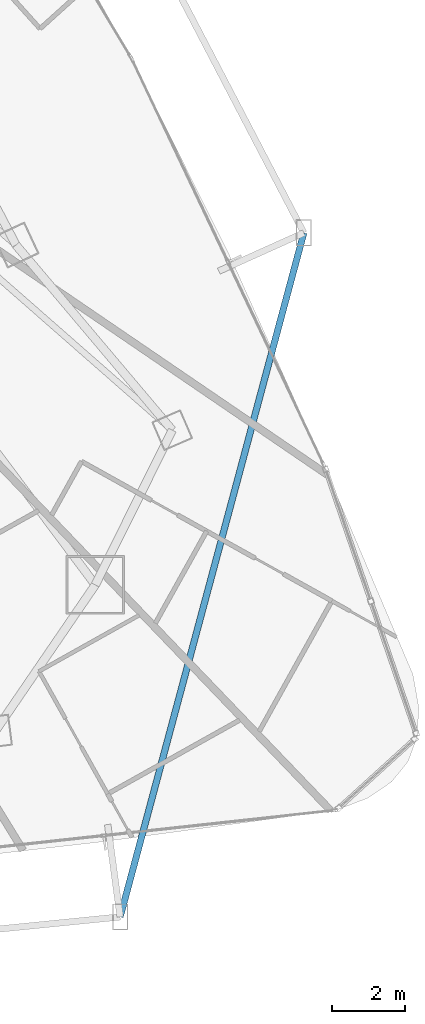
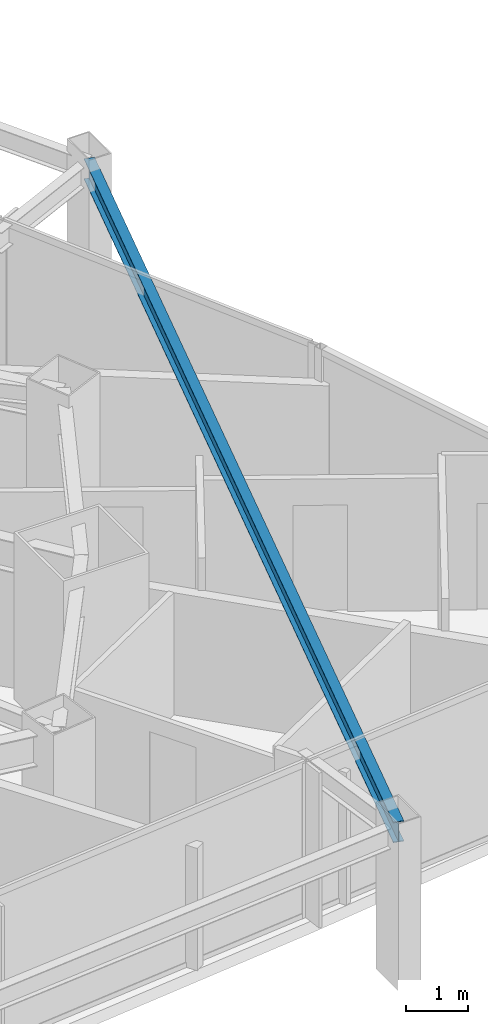
# One storey, part 15 of 34: 1 beam.
"""IFC4 building model written with IfcOpenShell, lengths in metres."""

from ifc_helpers import new_model, si_unit, direction, frame, origin, origin_2d, place, context, subcontext, project, spatial, i_section, extrude, material, material_profile, profile_set, type_object, element, save


model = new_model("IFC4")

# Units and contexts
model_context = context("Model", 3, precision=1e-05, world=origin(), true_north=direction((0.0, 1.0)))
body_context = subcontext(model_context, "Body", "Model", "MODEL_VIEW")
ifc_project = project(units=[si_unit("LENGTHUNIT", "METRE"), si_unit("AREAUNIT", "SQUARE_METRE"), si_unit("VOLUMEUNIT", "CUBIC_METRE"), si_unit("PLANEANGLEUNIT", "RADIAN"), si_unit("MASSUNIT", "GRAM", prefix="KILO")], contexts=[model_context])

# Site, building, storey
site_placement = place(None, origin())
site = spatial("IfcSite", under=ifc_project, at=site_placement, CompositionType="ELEMENT")
building_placement = place(site_placement, origin())
building = spatial("IfcBuilding", under=site, at=building_placement, Name="Orvanel Arch Residences", CompositionType="ELEMENT")
storey_placement = place(building_placement, frame((0.0, 0.0, 77.449951171875)))
storey = spatial("IfcBuildingStorey", under=building, at=storey_placement, Name="L21", CompositionType="ELEMENT", Elevation=77.449951171875)

# Beam
ifc_material = material(Name="Structural steel AS/NZS 3679.1 Grade 300 (300 MPa)", Category="steel")
ifc_material_profile = material_profile(ifc_material, i_section(OverallWidth=0.177978515625, OverallDepth=0.406005859375, WebThickness=0.0078125, FlangeThickness=0.0126953125, at=origin_2d()), Name="410UB59.7")
ifc_profile_set = profile_set([ifc_material_profile], Name="Structural steel AS/NZS 3679.1 Grade 300 (300 MPa)")
beam_type = type_object("IfcBeamType", Name="OB-410UB-EXT", PredefinedType="SPANDREL", material=ifc_profile_set)
beam_placement = place(storey_placement, frame((52.48095703125, 1.27099609375, 2.85693359375), z_axis=(0.259358589193, 0.965781094354, 0.0), x_axis=(-0.965781094354, 0.259358589193, 0.0)))
element("IfcBeam", 1, at=beam_placement, inside=storey, type_object=beam_type, Name="L21 Outer Perimeter Floor Ring Beam 08", PredefinedType="SPANDREL", context=body_context, shape_type="SweptSolid", body=[
    extrude(i_section(OverallWidth=0.177978515625, OverallDepth=0.406005859375, WebThickness=0.0078125, FlangeThickness=0.0126953125, at=origin_2d()), origin(), (0.0, 0.0, 1.0), 19.36669921875),
])

save(model, "model.ifc")
